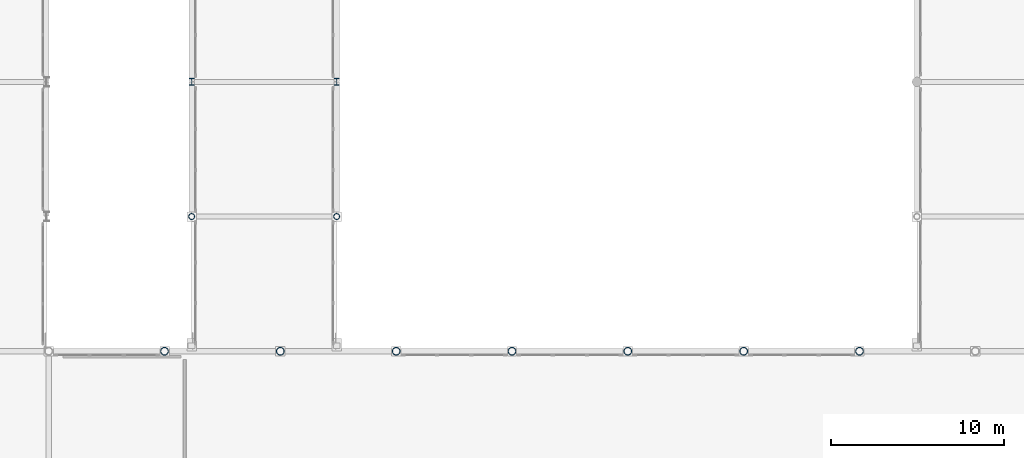
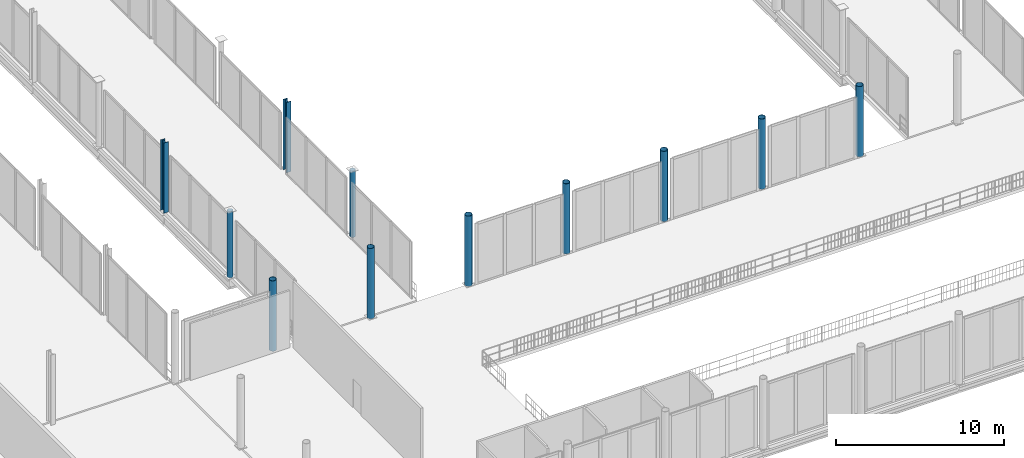
# One storey, part 6 of 105: 11 columns.
"""IFC4 building model written with IfcOpenShell, lengths in metres."""

from ifc_helpers import new_model, si_unit, direction, frame, origin, origin_2d, place, context, subcontext, project, spatial, hollow_circle, i_section, extrude, material, material_profile, profile_set, type_object, element, save


model = new_model("IFC4")

# Units and contexts
model_context = context("Model", 3, precision=1e-05, world=origin(), true_north=direction((0.0, 1.0)))
body_context = subcontext(model_context, "Body", "Model", "MODEL_VIEW")
ifc_project = project(units=[si_unit("LENGTHUNIT", "METRE"), si_unit("AREAUNIT", "SQUARE_METRE"), si_unit("VOLUMEUNIT", "CUBIC_METRE"), si_unit("PLANEANGLEUNIT", "RADIAN"), si_unit("MASSUNIT", "GRAM", prefix="KILO")], contexts=[model_context])

# Site, building, storey
site_placement = place(None, origin())
site = spatial("IfcSite", under=ifc_project, at=site_placement, CompositionType="ELEMENT")
building_placement = place(site_placement, origin())
building = spatial("IfcBuilding", under=site, at=building_placement, Name="Nabrawat Pavilion Hospital", CompositionType="ELEMENT")
storey_placement = place(building_placement, frame((0.0, 0.0, 5.10009765625)))
storey = spatial("IfcBuildingStorey", under=building, at=storey_placement, Name="L01", CompositionType="ELEMENT", Elevation=5.10009765625)

# Columns
ifc_material = material(Name="Steel S355", Category="steel")
ifc_material_profile_1 = material_profile(ifc_material, i_section(OverallWidth=0.300048828125, OverallDepth=0.39990234375, WebThickness=0.013427734375, FlangeThickness=0.02392578125, FilletRadius=0.027099609375, at=origin_2d()), Name="HEB 400")
ifc_profile_set_1 = profile_set([ifc_material_profile_1], Name="Steel S355")
column_type_1 = type_object("IfcColumnType", Name="Composite Steel Column HEB 400", PredefinedType="COLUMN", material=ifc_profile_set_1)
for number, where, z_axis, x_axis, name in (
    (1, (75.60009765625, 54.60009765625, 0.0), (0.0, 0.0, 1.0), (1.0, 0.0, 0.0), "L01 Structural Column G-10-H"),
    (2, (67.199951171875, 54.60009765625, 0.0), (0.0, 0.0, 1.0), (1.0, 0.0, 0.0), "L01 Structural Column G-9-H"),
):
    element("IfcColumn", number, at=place(storey_placement, frame(where, z_axis=z_axis, x_axis=x_axis)), inside=storey, type_object=column_type_1, Name=name, PredefinedType="COLUMN", context=body_context, shape_type="SweptSolid", body=[
        extrude(i_section(OverallWidth=0.300048828125, OverallDepth=0.39990234375, WebThickness=0.013427734375, FlangeThickness=0.02392578125, FilletRadius=0.027099609375, at=origin_2d()), origin(), (0.0, 0.0, 1.0), 5.099853515625),
    ])
ifc_material_profile_2 = material_profile(ifc_material, hollow_circle(Radius=0.177734375, WallThickness=0.01611328125, at=origin_2d()), Name="CHS 355.6x16")
ifc_profile_set_2 = profile_set([ifc_material_profile_2], Name="Steel S355")
column_type_2 = type_object("IfcColumnType", Name="Courtyard Link Bridge Column CHS 355.6x16", PredefinedType="COLUMN", material=ifc_profile_set_2)
for number, where, z_axis, x_axis, name in (
    (3, (75.60009765625, 46.800048828125, 0.0), (0.0, 0.0, 1.0), (1.0, 0.0, 0.0), "L01 Structural Column G-10-G"),
    (4, (67.199951171875, 46.800048828125, 0.0), (0.0, 0.0, 1.0), (1.0, 0.0, 0.0), "L01 Structural Column G-9-G"),
):
    element("IfcColumn", number, at=place(storey_placement, frame(where, z_axis=z_axis, x_axis=x_axis)), inside=storey, type_object=column_type_2, Name=name, PredefinedType="COLUMN", context=body_context, shape_type="SweptSolid", body=[
        extrude(hollow_circle(Radius=0.177734375, WallThickness=0.01611328125, at=origin_2d()), origin(), (0.0, 0.0, 1.0), 4.809814453125),
    ])
ifc_material_profile_3 = material_profile(ifc_material, hollow_circle(Radius=0.228515625, WallThickness=0.02001953125, at=origin_2d()), Name="CHS 457x20")
ifc_profile_set_3 = profile_set([ifc_material_profile_3], Name="Steel S355")
column_type_3 = type_object("IfcColumnType", Name="Expressed Pavilion Tubular Column CHS 457x20", PredefinedType="COLUMN", material=ifc_profile_set_3)
for number, where, z_axis, x_axis, name in (
    (5, (65.6279296875, 39.0, 0.0), (0.0, 0.0, 1.0), (1.0, 0.0, 0.0), "L01 Expressed Pavilion Column MH-N01"),
    (6, (72.3359375, 39.0, 0.0), (0.0, 0.0, 1.0), (1.0, 0.0, 0.0), "L01 Expressed Pavilion Column MH-N02"),
    (7, (79.0439453125, 39.0, 0.0), (0.0, 0.0, 1.0), (1.0, 0.0, 0.0), "L01 Expressed Pavilion Column MH-N03"),
    (8, (85.751953125, 39.0, 0.0), (0.0, 0.0, 1.0), (1.0, 0.0, 0.0), "L01 Expressed Pavilion Column MH-N04"),
    (9, (92.4599609375, 39.0, 0.0), (0.0, 0.0, 1.0), (1.0, 0.0, 0.0), "L01 Expressed Pavilion Column MH-N05"),
    (10, (99.16796875, 39.0, 0.0), (0.0, 0.0, 1.0), (1.0, 0.0, 0.0), "L01 Expressed Pavilion Column MH-N06"),
    (11, (105.8759765625, 39.0, 0.0), (0.0, 0.0, 1.0), (1.0, 0.0, 0.0), "L01 Expressed Pavilion Column MH-N07"),
):
    element("IfcColumn", number, at=place(storey_placement, frame(where, z_axis=z_axis, x_axis=x_axis)), inside=storey, type_object=column_type_3, Name=name, PredefinedType="COLUMN", context=body_context, shape_type="SweptSolid", body=[
        extrude(hollow_circle(Radius=0.228515625, WallThickness=0.02001953125, at=origin_2d()), origin(), (0.0, 0.0, 1.0), 5.099853515625),
    ])

save(model, "model.ifc")
